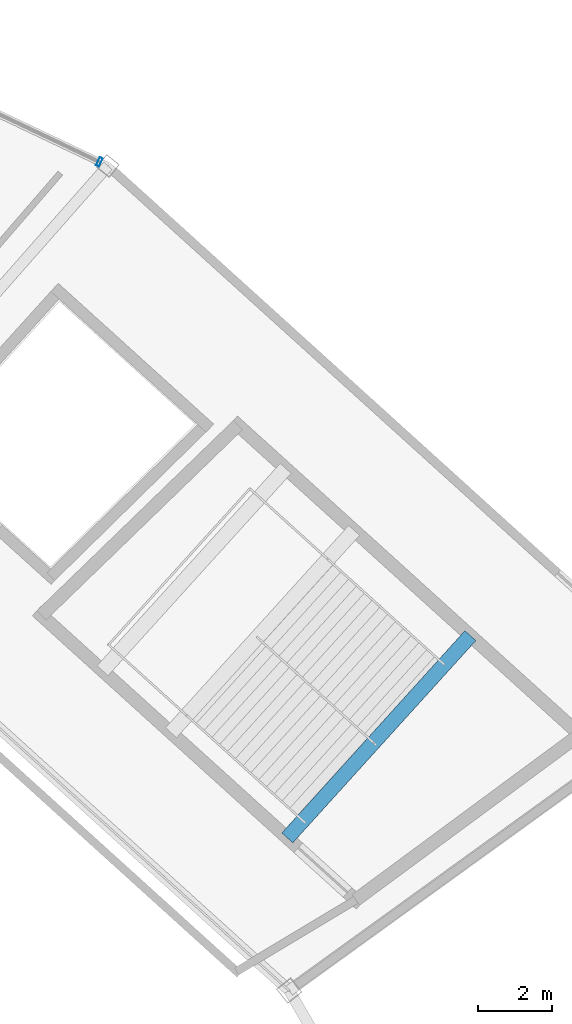
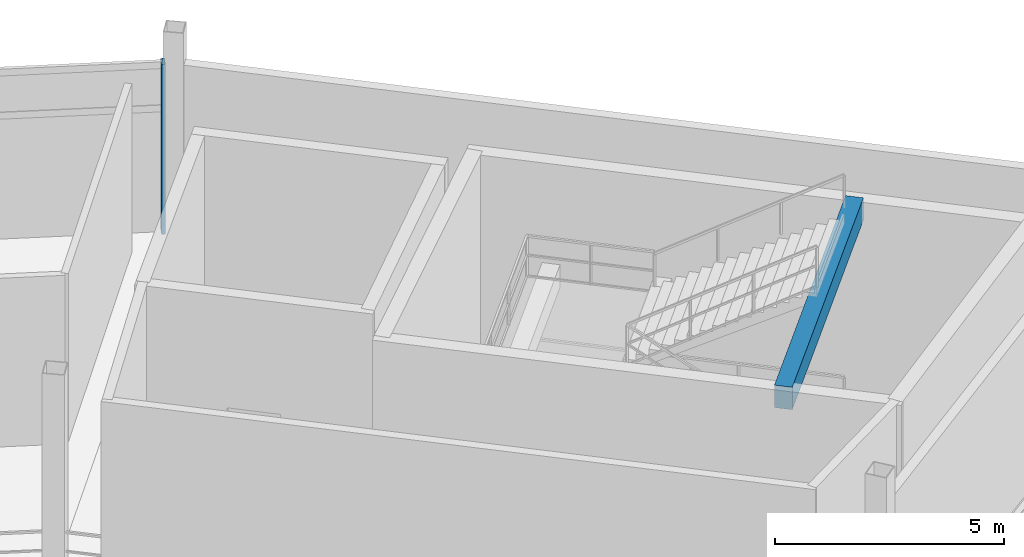
# One storey, part 64 of 103: 1 beam, 1 member, 1 element without a shape of its own.
"""IFC4 building model written with IfcOpenShell, lengths in metres."""

from ifc_helpers import new_model, si_unit, direction, frame, origin, origin_2d, place, context, subcontext, project, spatial, rectangle, hollow_rectangle, extrude, material, layer, layer_set, material_profile, profile_set, type_object, element, aggregate, save


model = new_model("IFC4")

# Units and contexts
model_context = context("Model", 3, precision=1e-05, world=origin(), true_north=direction((0.0, 1.0)))
body_context = subcontext(model_context, "Body", "Model", "MODEL_VIEW")
ifc_project = project(units=[si_unit("LENGTHUNIT", "METRE"), si_unit("AREAUNIT", "SQUARE_METRE"), si_unit("VOLUMEUNIT", "CUBIC_METRE"), si_unit("PLANEANGLEUNIT", "RADIAN"), si_unit("MASSUNIT", "GRAM", prefix="KILO")], contexts=[model_context])

# Site, building, storey
site_placement = place(None, origin())
site = spatial("IfcSite", under=ifc_project, at=site_placement, CompositionType="ELEMENT")
building_placement = place(site_placement, origin())
building = spatial("IfcBuilding", under=site, at=building_placement, Name="Kazemori Nagisa Stadium", CompositionType="ELEMENT")
storey_placement = place(building_placement, frame((0.0, 0.0, 25.840087890625)))
storey = spatial("IfcBuildingStorey", under=building, at=storey_placement, Name="L05", CompositionType="ELEMENT", Elevation=25.840087890625)

# Beam
ifc_material_1 = material(Name="Concrete C40/50 (Fc42)", Category="concrete")
ifc_material_profile_1 = material_profile(ifc_material_1, rectangle(XDim=0.39990234375, YDim=0.60009765625, at=origin_2d()), Name="RC-BM-400x600")
ifc_profile_set_1 = profile_set([ifc_material_profile_1], Name="Concrete C40/50 (Fc42)")
beam_type = type_object("IfcBeamType", Name="Beam_BG-LND400X600", PredefinedType="BEAM", material=ifc_profile_set_1)
beam_placement = place(storey_placement, frame((190.454345703125, 154.8681640625, 4.8798828125), z_axis=(0.671129682405, 0.741339968837, 0.0), x_axis=(-0.741339968837, 0.671129682405, 0.0)))
element("IfcBeam", 1, at=beam_placement, inside=storey, type_object=beam_type, Name="Core stair arrival header girder ST01-L05", PredefinedType="BEAM", context=body_context, shape_type="SweptSolid", body=[
    extrude(rectangle(XDim=0.39990234375, YDim=0.60009765625, at=origin_2d()), origin(), (0.0, 0.0, 1.0), 7.3857421875),
])

# Curtain wall, member
ifc_material_2 = material(Name="Anodised aluminium 6063-T5", Category="aluminium")
ifc_layer = layer(ifc_material_2, 0.239990234375, Name="Anodised aluminium 6063-T5", Category="aluminium")
ifc_layer_set = layer_set([ifc_layer], Name="Anodised aluminium 6063-T5")
curtain_wall_type = type_object("IfcCurtainWallType", Name="CW_L05R3_107", PredefinedType="USERDEFINED", material=ifc_layer_set)
curtain_wall_placement = place(storey_placement, origin())
curtain_wall = element("IfcCurtainWall", 2, at=curtain_wall_placement, inside=storey, type_object=curtain_wall_type, Name="Unitised curtain wall CW-L05R3-107 L05", ObjectType="UNITISED CURTAIN WALL", PredefinedType="USERDEFINED")
ifc_material_3 = material(Name="Aluminium 6063-T5 anodised", Category="aluminium")
ifc_material_profile_2 = material_profile(ifc_material_3, hollow_rectangle(XDim=0.090087890625, YDim=0.239990234375, WallThickness=0.0048828125, at=origin_2d()), Name="ALU-MULL-90x240x5")
ifc_profile_set_2 = profile_set([ifc_material_profile_2], Name="Aluminium 6063-T5 anodised")
member_type = type_object("IfcMemberType", Name="Mullion_M03", PredefinedType="MULLION", material=ifc_profile_set_2)
member_placement = place(storey_placement, frame((185.36767578125, 173.16845703125, 0.0), z_axis=(0.0, 0.0, 1.0), x_axis=(-0.903215892654, 0.429186499388, 0.0)))
member = element("IfcMember", 3, at=member_placement, type_object=member_type, Name="Curtain wall mullion CW-L05R3-107-M1", PredefinedType="MULLION", context=body_context, shape_type="SweptSolid", body=[
    extrude(hollow_rectangle(XDim=0.090087890625, YDim=0.239990234375, WallThickness=0.0048828125, at=origin_2d()), origin(), (0.0, 0.0, 1.0), 4.530029296875),
])
aggregate(curtain_wall, [member])

save(model, "model.ifc")
